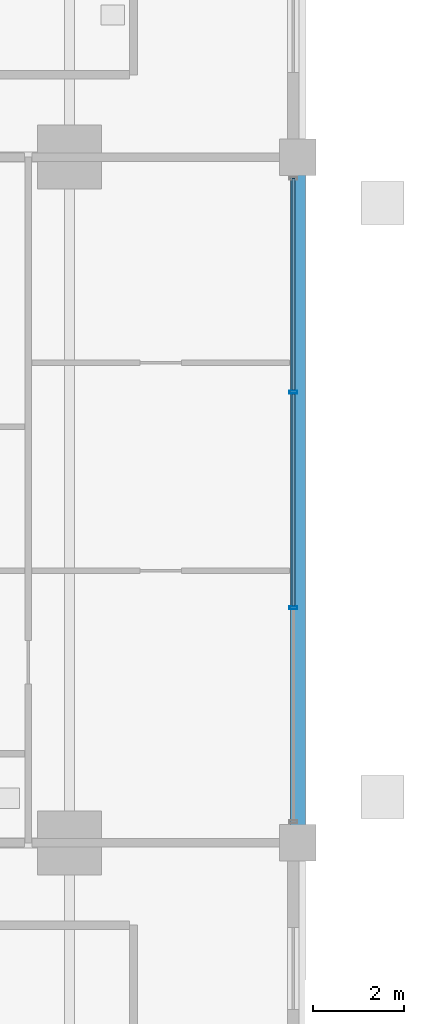
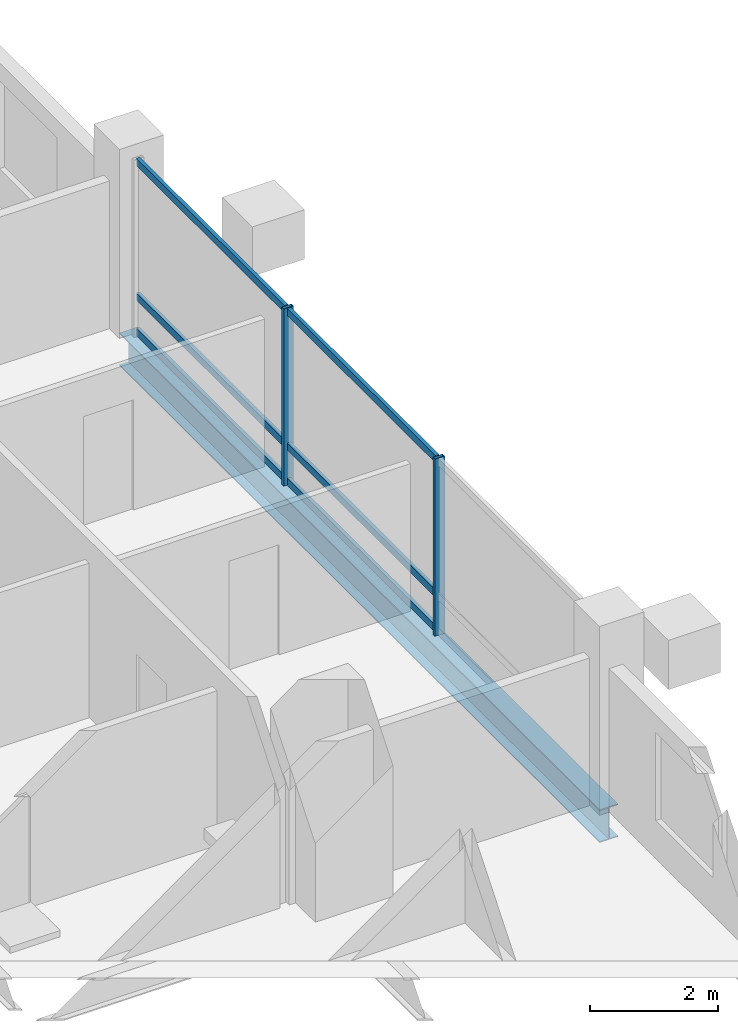
# One storey, part 10 of 23: 8 members, 1 beam, 1 element without a shape of its own.
"""IFC4 building model written with IfcOpenShell, lengths in metres."""

from ifc_helpers import new_model, si_unit, direction, frame, origin, origin_2d, place, context, subcontext, project, spatial, hollow_rectangle, i_section, extrude, material, layer, layer_set, material_profile, profile_set, type_object, element, aggregate, save


model = new_model("IFC4")

# Units and contexts
model_context = context("Model", 3, precision=1e-05, world=origin(), true_north=direction((0.0, 1.0)))
body_context = subcontext(model_context, "Body", "Model", "MODEL_VIEW")
ifc_project = project(units=[si_unit("LENGTHUNIT", "METRE"), si_unit("AREAUNIT", "SQUARE_METRE"), si_unit("VOLUMEUNIT", "CUBIC_METRE"), si_unit("PLANEANGLEUNIT", "RADIAN"), si_unit("MASSUNIT", "GRAM", prefix="KILO")], contexts=[model_context])

# Site, building, storey
site_placement = place(None, origin())
site = spatial("IfcSite", under=ifc_project, at=site_placement, CompositionType="ELEMENT")
building_placement = place(site_placement, origin())
building = spatial("IfcBuilding", under=site, at=building_placement, Name="Barlavira Tower and Art Museum", CompositionType="ELEMENT")
storey_placement = place(building_placement, frame((0.0, 0.0, 54.0)))
storey = spatial("IfcBuildingStorey", under=building, at=storey_placement, Name="L12", CompositionType="ELEMENT", Elevation=54.0)

# Curtain wall, members
ifc_material_1 = material(Name="Low-iron coastal laminated glass", Category="glass")
ifc_layer = layer(ifc_material_1, 0.179931640625, Name="Low-iron coastal laminated glass")
ifc_layer_set = layer_set([ifc_layer], Name="Low-iron coastal laminated glass")
curtain_wall_type = type_object("IfcCurtainWallType", Name="Pale-Metal Unitised Curtain Wall Zone 1", PredefinedType="NOTDEFINED", material=ifc_layer_set)
curtain_wall_placement = place(storey_placement, origin())
curtain_wall = element("IfcCurtainWall", 1, at=curtain_wall_placement, inside=storey, type_object=curtain_wall_type, Name="L12 Curtain Wall CW1-L12-E-B3", PredefinedType="NOTDEFINED")
ifc_material_2 = material(Name="Pale anodised aluminium", Category="aluminium")
ifc_material_profile_1 = material_profile(ifc_material_2, hollow_rectangle(XDim=0.06494140625, YDim=0.179931640625, WallThickness=0.00390625, at=origin_2d()), Name="ALU-MULL 65x180x4")
ifc_profile_set_1 = profile_set([ifc_material_profile_1], Name="Pale anodised aluminium")
member_type_1 = type_object("IfcMemberType", Name="Curtain Wall Pale-Metal Mullion 65x180", PredefinedType="MULLION", material=ifc_profile_set_1)
member_1_placement = place(storey_placement, frame((21.89990234375, -2.360107421875, 0.0), z_axis=(0.0, 0.0, 1.0), x_axis=(0.0, 1.0, 0.0)))
member_1 = element("IfcMember", 2, at=member_1_placement, type_object=member_type_1, Name="CW1-L12-E-B3 Mullion 1", PredefinedType="MULLION", context=body_context, shape_type="SweptSolid", body=[
    extrude(hollow_rectangle(XDim=0.06494140625, YDim=0.179931640625, WallThickness=0.00390625, at=origin_2d()), origin(), (0.0, 0.0, 1.0), 3.3798828125),
])
member_2_placement = place(storey_placement, frame((21.89990234375, 2.360107421875, 0.0), z_axis=(0.0, 0.0, 1.0), x_axis=(0.0, 1.0, 0.0)))
member_2 = element("IfcMember", 3, at=member_2_placement, type_object=member_type_1, Name="CW1-L12-E-B3 Mullion 2", PredefinedType="MULLION", context=body_context, shape_type="SweptSolid", body=[
    extrude(hollow_rectangle(XDim=0.06494140625, YDim=0.179931640625, WallThickness=0.00390625, at=origin_2d()), origin(), (0.0, 0.0, 1.0), 3.3798828125),
])
ifc_material_profile_2 = material_profile(ifc_material_2, hollow_rectangle(XDim=0.06494140625, YDim=0.139892578125, WallThickness=0.00390625, at=origin_2d()), Name="ALU-TRAN 65x140x4")
ifc_profile_set_2 = profile_set([ifc_material_profile_2], Name="Pale anodised aluminium")
member_type_2 = type_object("IfcMemberType", Name="Curtain Wall Pale-Metal Transom 65x140", PredefinedType="USERDEFINED", material=ifc_profile_set_2)
member_3_placement = place(storey_placement, frame((21.89990234375, -2.31494140625, 0.070068359375), z_axis=(0.0, 1.0, 0.0), x_axis=(-1.0, 0.0, 0.0)))
member_3 = element("IfcMember", 4, at=member_3_placement, type_object=member_type_2, Name="CW1-L12-E-B3 Transom 1.1", ObjectType="TRANSOM", PredefinedType="USERDEFINED", context=body_context, shape_type="SweptSolid", body=[
    extrude(hollow_rectangle(XDim=0.06494140625, YDim=0.139892578125, WallThickness=0.00390625, at=origin_2d()), origin(), (0.0, 0.0, 1.0), 4.6298828125),
])
member_4_placement = place(storey_placement, frame((21.89990234375, -2.31494140625, 0.743896484375), z_axis=(0.0, 1.0, 0.0), x_axis=(-1.0, 0.0, 0.0)))
member_4 = element("IfcMember", 5, at=member_4_placement, type_object=member_type_2, Name="CW1-L12-E-B3 Transom 1.2", ObjectType="TRANSOM", PredefinedType="USERDEFINED", context=body_context, shape_type="SweptSolid", body=[
    extrude(hollow_rectangle(XDim=0.06494140625, YDim=0.139892578125, WallThickness=0.00390625, at=origin_2d()), origin(), (0.0, 0.0, 1.0), 4.6298828125),
])
member_5_placement = place(storey_placement, frame((21.89990234375, -2.31494140625, 3.31005859375), z_axis=(0.0, 1.0, 0.0), x_axis=(-1.0, 0.0, 0.0)))
member_5 = element("IfcMember", 6, at=member_5_placement, type_object=member_type_2, Name="CW1-L12-E-B3 Transom 1.3", ObjectType="TRANSOM", PredefinedType="USERDEFINED", context=body_context, shape_type="SweptSolid", body=[
    extrude(hollow_rectangle(XDim=0.06494140625, YDim=0.139892578125, WallThickness=0.00390625, at=origin_2d()), origin(), (0.0, 0.0, 1.0), 4.6298828125),
])
member_6_placement = place(storey_placement, frame((21.89990234375, 2.405029296875, 0.070068359375), z_axis=(0.0, 1.0, 0.0), x_axis=(-1.0, 0.0, 0.0)))
member_6 = element("IfcMember", 7, at=member_6_placement, type_object=member_type_2, Name="CW1-L12-E-B3 Transom 2.1", ObjectType="TRANSOM", PredefinedType="USERDEFINED", context=body_context, shape_type="SweptSolid", body=[
    extrude(hollow_rectangle(XDim=0.06494140625, YDim=0.139892578125, WallThickness=0.00390625, at=origin_2d()), origin(), (0.0, 0.0, 1.0), 4.6298828125),
])
member_7_placement = place(storey_placement, frame((21.89990234375, 2.405029296875, 0.743896484375), z_axis=(0.0, 1.0, 0.0), x_axis=(-1.0, 0.0, 0.0)))
member_7 = element("IfcMember", 8, at=member_7_placement, type_object=member_type_2, Name="CW1-L12-E-B3 Transom 2.2", ObjectType="TRANSOM", PredefinedType="USERDEFINED", context=body_context, shape_type="SweptSolid", body=[
    extrude(hollow_rectangle(XDim=0.06494140625, YDim=0.139892578125, WallThickness=0.00390625, at=origin_2d()), origin(), (0.0, 0.0, 1.0), 4.6298828125),
])
member_8_placement = place(storey_placement, frame((21.89990234375, 2.405029296875, 3.31005859375), z_axis=(0.0, 1.0, 0.0), x_axis=(-1.0, 0.0, 0.0)))
member_8 = element("IfcMember", 9, at=member_8_placement, type_object=member_type_2, Name="CW1-L12-E-B3 Transom 2.3", ObjectType="TRANSOM", PredefinedType="USERDEFINED", context=body_context, shape_type="SweptSolid", body=[
    extrude(hollow_rectangle(XDim=0.06494140625, YDim=0.139892578125, WallThickness=0.00390625, at=origin_2d()), origin(), (0.0, 0.0, 1.0), 4.6298828125),
])
aggregate(curtain_wall, [member_1, member_2, member_3, member_4, member_5, member_6, member_7, member_8])

# Beam
ifc_material_3 = material(Name="Steel S355", Category="steel")
ifc_material_profile_3 = material_profile(ifc_material_3, i_section(OverallWidth=0.327880859375, OverallDepth=0.62890625, WebThickness=0.013916015625, FlangeThickness=0.021484375, at=origin_2d()), Name="W610x174.0")
ifc_profile_set_3 = profile_set([ifc_material_profile_3], Name="Steel S355")
beam_type = type_object("IfcBeamType", Name="Perimeter Spandrel Edge Beam W610x174 Steel S355", PredefinedType="SPANDREL", material=ifc_profile_set_3)
beam_placement = place(storey_placement, frame((22.0, -7.5, -0.534423828125), z_axis=(0.0, 1.0, 0.0), x_axis=(-1.0, 0.0, 0.0)))
element("IfcBeam", 10, at=beam_placement, inside=storey, type_object=beam_type, Name="L12 Spandrel 6", PredefinedType="SPANDREL", context=body_context, shape_type="SweptSolid", body=[
    extrude(i_section(OverallWidth=0.327880859375, OverallDepth=0.62890625, WebThickness=0.013916015625, FlangeThickness=0.021484375, at=origin_2d()), origin(), (0.0, 0.0, 1.0), 15.0),
])

save(model, "model.ifc")
